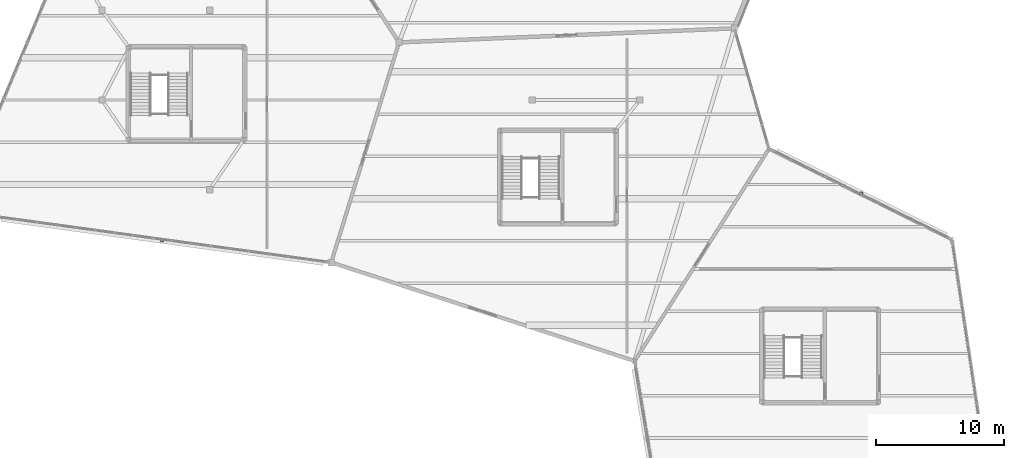
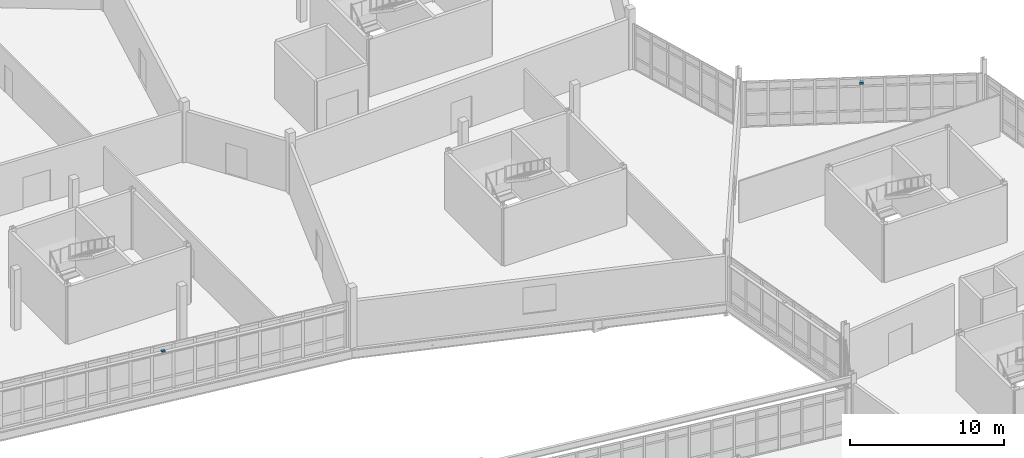
# One storey, part 124 of 134: 2 discrete accessories.
"""IFC4 building model written with IfcOpenShell, lengths in metres."""

from ifc_helpers import new_model, si_unit, direction, frame, origin, origin_2d, place, context, subcontext, project, spatial, rectangle, extrude, material, type_object, element, save


model = new_model("IFC4")

# Units and contexts
model_context = context("Model", 3, precision=1e-05, world=origin(), true_north=direction((0.0, 1.0)))
body_context = subcontext(model_context, "Body", "Model", "MODEL_VIEW")
ifc_project = project(units=[si_unit("LENGTHUNIT", "METRE"), si_unit("AREAUNIT", "SQUARE_METRE"), si_unit("VOLUMEUNIT", "CUBIC_METRE"), si_unit("PLANEANGLEUNIT", "RADIAN"), si_unit("MASSUNIT", "GRAM", prefix="KILO")], contexts=[model_context])

# Site, building, storey
site_placement = place(None, origin())
site = spatial("IfcSite", under=ifc_project, at=site_placement, CompositionType="ELEMENT")
building_placement = place(site_placement, origin())
building = spatial("IfcBuilding", under=site, at=building_placement, Name="Tameran Prism Museum", CompositionType="ELEMENT")
storey_placement = place(building_placement, frame((0.0, 0.0, 5.39990234375)))
storey = spatial("IfcBuildingStorey", under=building, at=storey_placement, Name="L01", CompositionType="ELEMENT", Elevation=5.39990234375)

# Discrete accessories
ifc_material = material(Name="Galvanized Steel Grade 350 (350 MPa)", Category="steel")
discrete_accessory_type = type_object("IfcDiscreteAccessoryType", Name="DA-BRK-STL", PredefinedType="BRACKET", material=ifc_material)
for number, where, z_axis, x_axis, name in (
    (1, (67.712890625, 69.7080078125, 3.09033203125), (0.0, 0.0, 1.0), (0.895711760239, -0.444635179185, 0.0), "Facade Sunshade Bracket BK-026"),
    (2, (13.10888671875, 66.02490234375, 3.09033203125), (0.0, 0.0, 1.0), (-0.990771512217, 0.135542652249, 0.0), "Facade Sunshade Bracket BK-037"),
):
    element("IfcDiscreteAccessory", number, at=place(storey_placement, frame(where, z_axis=z_axis, x_axis=x_axis)), inside=storey, type_object=discrete_accessory_type, Name=name, PredefinedType="BRACKET", context=body_context, shape_type="SweptSolid", body=[
        extrude(rectangle(XDim=0.239990234375, YDim=0.239990234375, at=origin_2d()), origin(), (0.0, 0.0, 1.0), 0.159912109375),
    ])

save(model, "model.ifc")
